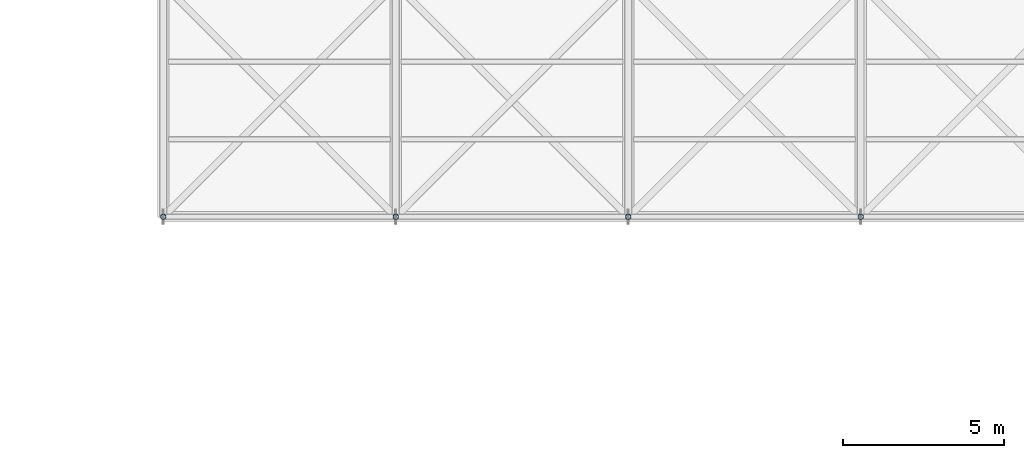
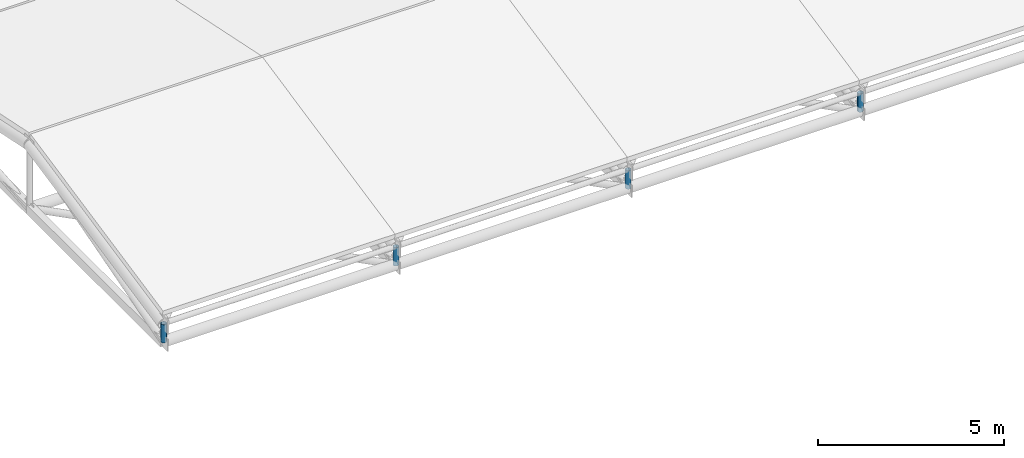
# One storey, part 43 of 72: 4 members.
"""IFC4 building model written with IfcOpenShell, lengths in metres."""

import ifcopenshell
import ifcopenshell.guid

model = None  # the IFC model being written
_history = None  # IfcOwnerHistory: only IFC2X3 demands one
_inside = {}  # id of a spatial element -> (the spatial element, [elements in it])
_under = {}  # id of a project, library or spatial element -> (it, [spatial elements below it])
_declared = {}  # id of a project -> (the project, [libraries it declares])
_typed = {}  # id of a type object -> (the type object, [elements of that type])
_made_of = {}  # id of a material, layer set ... -> (it, [elements and type objects made of it])


def new_model(schema):
    """Start an empty IFC model of exactly this schema.

    Asked for "IFC4X3", IfcOpenShell would pick the latest addendum, in which some entities
    have other attributes; the version numbers below select the first issue.
    IFC2X3 requires an IfcOwnerHistory on every rooted entity: one is made here for all.
    """
    global model, _history
    if schema == "IFC4X3":
        model = ifcopenshell.file(schema_version=(4, 3, 0, 0))
    else:
        model = ifcopenshell.file(schema=schema)
    _inside.clear()
    _under.clear()
    _declared.clear()
    _typed.clear()
    _made_of.clear()
    _history = None
    if model.schema == "IFC2X3":
        org = make("IfcOrganization", Name="unknown")
        user = make(
            "IfcPersonAndOrganization",
            ThePerson=make("IfcPerson", FamilyName="unknown"),
            TheOrganization=org,
        )
        app = make(
            "IfcApplication",
            ApplicationDeveloper=org,
            Version="unknown",
            ApplicationFullName="unknown",
            ApplicationIdentifier="unknown",
        )
        _history = make(
            "IfcOwnerHistory",
            OwningUser=user,
            OwningApplication=app,
            ChangeAction="ADDED",
            CreationDate=0,
        )
    return model


def make(cls, **values):
    """One entity of the class cls with the attributes given. An attribute that is None is left unset."""
    return model.create_entity(
        cls, **{name: value for name, value in values.items() if value is not None}
    )


def rooted(cls, **values):
    """An entity with a GlobalId (a new one), such as an element, a storey or a relation."""
    return make(cls, GlobalId=ifcopenshell.guid.new(), OwnerHistory=_history, **values)


def si_unit(unit_type, name, prefix=None):
    """IfcSIUnit, for example si_unit("LENGTHUNIT", "METRE", prefix="MILLI")."""
    return make("IfcSIUnit", UnitType=unit_type, Prefix=prefix, Name=name)


def assignment(units):
    """IfcUnitAssignment: the units of a project."""
    return None if units is None else make("IfcUnitAssignment", Units=units)


def point(xyz):
    """IfcCartesianPoint."""
    return None if xyz is None else make("IfcCartesianPoint", Coordinates=xyz)


def direction(xyz):
    """IfcDirection."""
    return None if xyz is None else make("IfcDirection", DirectionRatios=xyz)


def frame(location, z_axis=None, x_axis=None):
    """IfcAxis2Placement3D, a coordinate frame: its origin and axes. An axis left out is left unset."""
    return make(
        "IfcAxis2Placement3D",
        Location=point(location),
        Axis=direction(z_axis),
        RefDirection=direction(x_axis),
    )


def frame_2d(location, x_axis=None):
    """IfcAxis2Placement2D, a coordinate frame in the plane: its origin and x axis."""
    return make(
        "IfcAxis2Placement2D", Location=point(location), RefDirection=direction(x_axis)
    )


def origin():
    """The frame at (0, 0, 0) with its axes left unset."""
    return frame((0.0, 0.0, 0.0))


def origin_2d():
    """The frame at (0, 0) in the plane with its x axis left unset."""
    return frame_2d((0.0, 0.0))


def place(relative_to, where):
    """IfcLocalPlacement: puts the frame where relative to a parent placement (None: the world)."""
    return make(
        "IfcLocalPlacement", PlacementRelTo=relative_to, RelativePlacement=where
    )


def context(
    kind, dimensions, precision=None, world=None, true_north=None, identifier=None
):
    """IfcGeometricRepresentationContext, for example the 3D "Model" context."""
    return make(
        "IfcGeometricRepresentationContext",
        ContextIdentifier=identifier,
        ContextType=kind,
        CoordinateSpaceDimension=dimensions,
        Precision=precision,
        WorldCoordinateSystem=world,
        TrueNorth=true_north,
    )


def subcontext(parent, identifier, kind, view, scale=None):
    """IfcGeometricRepresentationSubContext, for example "Body" below "Model"."""
    return make(
        "IfcGeometricRepresentationSubContext",
        ContextIdentifier=identifier,
        ContextType=kind,
        ParentContext=parent,
        TargetScale=scale,
        TargetView=view,
    )


def project(units=None, contexts=None):
    """IfcProject with its units and contexts."""
    return rooted(
        "IfcProject",
        Name="project",
        RepresentationContexts=contexts,
        UnitsInContext=assignment(units),
    )


def spatial(cls, under=None, at=None, **own):
    """A site, building, storey or space (cls), placed at a placement, below another one or the project."""
    s = rooted(cls, ObjectPlacement=at, **own)
    if under is not None:
        _under.setdefault(under.id(), (under, []))[1].append(s)
    return s


def profile(cls, at=None, kind="AREA", **sizes):
    """A parametric profile (cls). Its sizes go by their IFC names, for example OverallWidth=200.0."""
    return make(cls, ProfileType=kind, Position=at, **sizes)


def hollow_circle(**sizes):
    """IfcCircleHollowProfileDef."""
    return profile("IfcCircleHollowProfileDef", **sizes)


def extrude(swept, where, along, depth):
    """IfcExtrudedAreaSolid: the profile swept, set in the frame where, extruded along a direction by depth."""
    return make(
        "IfcExtrudedAreaSolid",
        SweptArea=swept,
        Position=where,
        ExtrudedDirection=direction(along),
        Depth=depth,
    )


def shape(context_of_items, identifier, shape_type, items):
    """IfcShapeRepresentation: the items that make up one representation, for example the "Body"."""
    return make(
        "IfcShapeRepresentation",
        ContextOfItems=context_of_items,
        RepresentationIdentifier=identifier,
        RepresentationType=shape_type,
        Items=items,
    )


def material(Name=None, Category=None):
    """IfcMaterial."""
    return make("IfcMaterial", Name=Name, Category=Category)


def material_profile(
    of_material, cross_section, Name=None, Category=None, Priority=None
):
    """IfcMaterialProfile: a cross section and its material."""
    return make(
        "IfcMaterialProfile",
        Name=Name,
        Material=of_material,
        Profile=cross_section,
        Priority=Priority,
        Category=Category,
    )


def profile_set(profiles, Name=None, composite=None):
    """IfcMaterialProfileSet."""
    return make(
        "IfcMaterialProfileSet",
        Name=Name,
        MaterialProfiles=profiles,
        CompositeProfile=composite,
    )


def made_of(thing, what):
    """Note that an element or type object is made of a material, layer set ...; save() writes the relation."""
    if what is not None:
        _made_of.setdefault(what.id(), (what, []))[1].append(thing)
    return thing


def type_object(cls, material=None, **own):
    """A type object (cls), such as IfcWallType, which elements share."""
    return made_of(rooted(cls, **own), material)


def element(
    cls,
    number,
    at=None,
    inside=None,
    cuts=None,
    type_object=None,
    material=None,
    context=None,
    identifier="Body",
    shape_type=None,
    held_by="IfcProductDefinitionShape",
    body=None,
    shapes=None,
    **own,
):
    """One element of the class cls, such as IfcWall. Its Tag is "e" and its number.

    at: its placement. inside: the storey or other place that contains it. cuts: it is an
    opening in that element (IfcRelVoidsElement). A single representation is given by context,
    identifier, shape_type and body (its items); several are given by shapes. held_by: the class
    of the entity that holds the representations. save() writes the other relations.
    """
    e = rooted(cls, Tag="e%d" % number, ObjectPlacement=at, **own)
    if body is not None:
        shapes = [shape(context, identifier, shape_type, body)]
    if shapes is not None:
        e.Representation = make(held_by, Representations=shapes)
    if inside is not None:
        _inside.setdefault(inside.id(), (inside, []))[1].append(e)
    if cuts is not None:
        rooted(
            "IfcRelVoidsElement", RelatingBuildingElement=cuts, RelatedOpeningElement=e
        )
    if type_object is not None:
        _typed.setdefault(type_object.id(), (type_object, []))[1].append(e)
    return made_of(e, material)


def aggregate(whole, parts):
    """IfcRelAggregates: a whole, such as a stair, and the parts it consists of."""
    return rooted("IfcRelAggregates", RelatingObject=whole, RelatedObjects=parts)


def save(model, path):
    """Write the relations noted so far, then the file.

    IfcRelAggregates (storeys below a building ...), IfcRelContainedInSpatialStructure (elements
    in a storey), IfcRelDefinesByType, IfcRelAssociatesMaterial and IfcRelDeclares: one each for
    every whole, place, type object, material and project.
    """
    for whole, parts in _under.values():
        aggregate(whole, parts)
    for where, things in _inside.values():
        rooted(
            "IfcRelContainedInSpatialStructure",
            RelatedElements=things,
            RelatingStructure=where,
        )
    for kind, things in _typed.values():
        rooted("IfcRelDefinesByType", RelatedObjects=things, RelatingType=kind)
    for what, things in _made_of.values():
        rooted("IfcRelAssociatesMaterial", RelatedObjects=things, RelatingMaterial=what)
    for by, libraries in _declared.values():
        rooted("IfcRelDeclares", RelatingContext=by, RelatedDefinitions=libraries)
    model.write(path)


model = new_model("IFC4")

# Units and contexts
model_context = context("Model", 3, precision=1e-05, world=origin(), true_north=direction((0.0, 1.0)))
body_context = subcontext(model_context, "Body", "Model", "MODEL_VIEW")
ifc_project = project(units=[si_unit("LENGTHUNIT", "METRE"), si_unit("AREAUNIT", "SQUARE_METRE"), si_unit("VOLUMEUNIT", "CUBIC_METRE"), si_unit("PLANEANGLEUNIT", "RADIAN"), si_unit("MASSUNIT", "GRAM", prefix="KILO")], contexts=[model_context])

# Site, building, storey
site_placement = place(None, origin())
site = spatial("IfcSite", under=ifc_project, at=site_placement, CompositionType="ELEMENT")
building_placement = place(site_placement, origin())
building = spatial("IfcBuilding", under=site, at=building_placement, Name="Vaelcorin Mobility Hub", CompositionType="ELEMENT")
storey_placement = place(building_placement, frame((0.0, 0.0, 25.800048828125)))
storey = spatial("IfcBuildingStorey", under=building, at=storey_placement, Name="RF", CompositionType="ELEMENT", Elevation=25.800048828125)

# Members
ifc_material = material(Name="Steel ASTM A500 Grade C", Category="steel")
ifc_material_profile = material_profile(ifc_material, hollow_circle(Radius=0.084228515625, WallThickness=0.0078125, at=origin_2d()), Name="HSS6.625X0.312")
ifc_profile_set = profile_set([ifc_material_profile], Name="Steel ASTM A500 Grade C")
member_type = type_object("IfcMemberType", Name="TR-POST-6", PredefinedType="POST", material=ifc_profile_set)
for number, where, z_axis, x_axis, name in (
    (1, (43.199951171875, 84.0, -2.10009765625), (0.0, 0.0, 1.0), (1.0, 0.0, 0.0), "Sports Pavilion Roof Truss Post 1-0"),
    (2, (50.39990234375, 84.0, -2.10009765625), (0.0, 0.0, 1.0), (1.0, 0.0, 0.0), "Sports Pavilion Roof Truss Post 2-0"),
    (3, (57.60009765625, 84.0, -2.10009765625), (0.0, 0.0, 1.0), (1.0, 0.0, 0.0), "Sports Pavilion Roof Truss Post 3-0"),
    (4, (64.800048828125, 84.0, -2.10009765625), (0.0, 0.0, 1.0), (1.0, 0.0, 0.0), "Sports Pavilion Roof Truss Post 4-0"),
):
    element("IfcMember", number, at=place(storey_placement, frame(where, z_axis=z_axis, x_axis=x_axis)), inside=storey, type_object=member_type, Name=name, PredefinedType="POST", context=body_context, shape_type="SweptSolid", body=[
        extrude(hollow_circle(Radius=0.084228515625, WallThickness=0.0078125, at=origin_2d()), origin(), (0.0, 0.0, 1.0), 0.60009765625),
    ])

save(model, "model.ifc")
